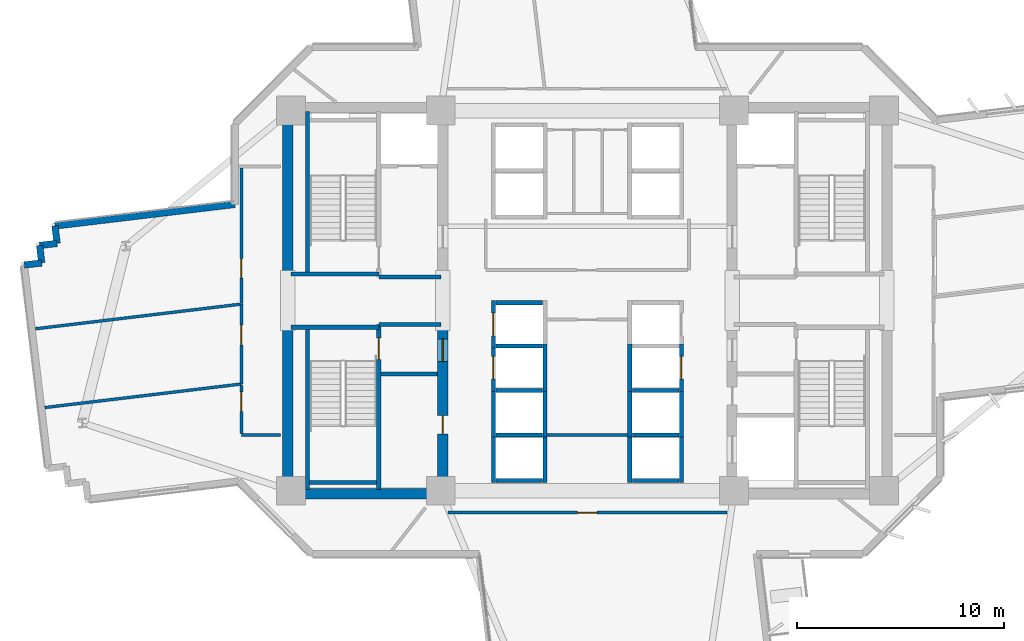
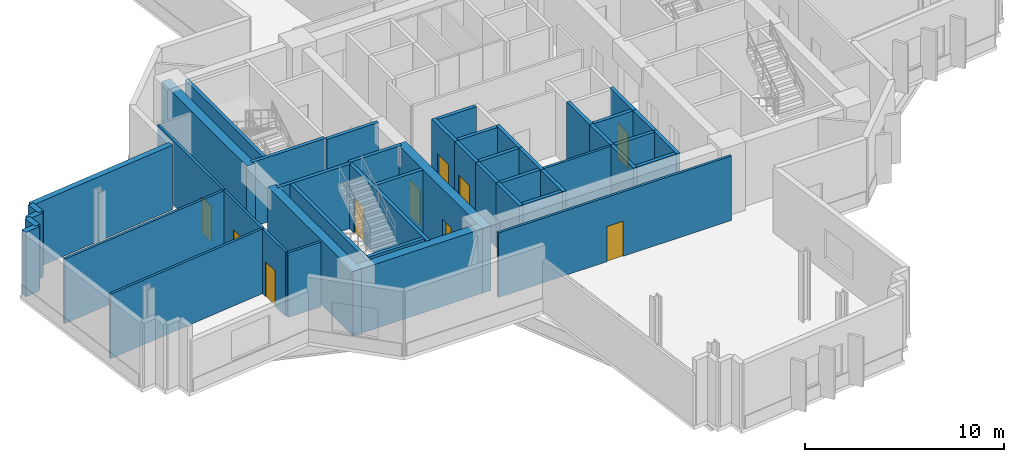
# One storey, part 6 of 15: 47 walls, 10 doors, 10 openings.
"""IFC4 building model written with IfcOpenShell, lengths in metres."""

from ifc_helpers import new_model, si_unit, direction, frame, frame_2d, origin, place, context, subcontext, project, spatial, rectangle, extrude, source, transform, mapped, material, layer, layer_set, type_object, element, fill, save


model = new_model("IFC4")

# Units and contexts
model_context = context("Model", 3, precision=1e-05, world=origin(), true_north=direction((0.0, 1.0)))
body_context = subcontext(model_context, "Body", "Model", "MODEL_VIEW")
ifc_project = project(units=[si_unit("LENGTHUNIT", "METRE"), si_unit("AREAUNIT", "SQUARE_METRE"), si_unit("VOLUMEUNIT", "CUBIC_METRE"), si_unit("PLANEANGLEUNIT", "RADIAN"), si_unit("MASSUNIT", "GRAM", prefix="KILO")], contexts=[model_context])

# Site, building, storey
site_placement = place(None, origin())
site = spatial("IfcSite", under=ifc_project, at=site_placement, CompositionType="ELEMENT")
building_placement = place(site_placement, origin())
building = spatial("IfcBuilding", under=site, at=building_placement, Name="Zahravan Cultural Tower", CompositionType="ELEMENT")
storey_placement = place(building_placement, frame((0.0, 0.0, 113.10009765625)))
storey = spatial("IfcBuildingStorey", under=building, at=storey_placement, Name="L25", CompositionType="ELEMENT", Elevation=113.10009765625)

# Wall, openings, doors
ifc_material_1 = material(Name="Concrete C60/75", Category="concrete")
ifc_layer_1 = layer(ifc_material_1, 0.5)
ifc_layer_set_1 = layer_set([ifc_layer_1], Name="Concrete C60/75")
wall_type_1 = type_object("IfcWallType", Name="CW-SHEAR-500-C60", PredefinedType="SHEAR", material=ifc_layer_set_1)
wall_1_placement = place(storey_placement, frame((29.0, 17.39990234375, 0.0), z_axis=(0.0, 0.0, 1.0), x_axis=(0.0, 1.0, 0.0)))
wall_1 = element("IfcWall", 1, at=wall_1_placement, inside=storey, type_object=wall_type_1, Name="L25 Core Shear Wall CW-W-ES-L25", PredefinedType="SHEAR", context=body_context, shape_type="SweptSolid", body=[
    extrude(rectangle(XDim=8.550048828125, YDim=0.5, at=frame_2d((4.27490234375, 0.0))), origin(), (0.0, 0.0, 1.0), 3.949951171875),
])
opening_1_placement = place(wall_1_placement, frame((6.64990234375, 0.0, 0.0)))
opening_1 = element("IfcOpeningElement", 2, at=opening_1_placement, cuts=wall_1, Name="Opening D-L25-07", PredefinedType="OPENING", context=body_context, shape_type="SweptSolid", body=[
    extrude(rectangle(XDim=1.10009765625, YDim=2.199951171875, at=frame_2d((0.550048828125, 1.10009765625))), frame((0.0, 0.260009765625, 0.0), z_axis=(0.0, -1.0, 0.0), x_axis=(1.0, 0.0, 0.0)), (0.0, 0.0, 1.0), 0.52001953125),
])
opening_2_placement = place(wall_1_placement, frame((3.14990234375, 0.0, 0.0)))
opening_2 = element("IfcOpeningElement", 3, at=opening_2_placement, cuts=wall_1, Name="Opening D-L25-09", PredefinedType="OPENING", context=body_context, shape_type="SweptSolid", body=[
    extrude(rectangle(XDim=0.8798828125, YDim=2.10009765625, at=frame_2d((0.43994140625, 1.050048828125))), frame((0.0, 0.260009765625, 0.0), z_axis=(0.0, -1.0, 0.0), x_axis=(1.0, 0.0, 0.0)), (0.0, 0.0, 1.0), 0.52001953125),
])
ifc_material_2 = material(Name="Steel ASTM A572 Grade 50", Category="steel")
door_type_1 = type_object("IfcDoorType", Name="DR-LOBBY-1100", OperationType="NOTDEFINED", PredefinedType="DOOR", material=ifc_material_2)
shared_shape_1 = source(origin(), body_context, "Body", "SweptSolid", [
    extrude(rectangle(XDim=1.10009765625, YDim=2.199951171875, at=frame_2d((0.550048828125, 1.10009765625))), frame((0.0, 0.02490234375, 0.0), z_axis=(0.0, -1.0, 0.0), x_axis=(1.0, 0.0, 0.0)), (0.0, 0.0, 1.0), 0.050048828125),
])
door_1_placement = place(opening_1_placement, origin())
door_1 = element("IfcDoor", 4, at=door_1_placement, inside=storey, type_object=door_type_1, Name="L25 Door D-L25-07", OperationType="SINGLE_SWING_RIGHT", OverallHeight=2.199951171875, OverallWidth=1.10009765625, PredefinedType="DOOR", context=body_context, shape_type="MappedRepresentation", body=[
    mapped(shared_shape_1, transform((0.0, 0.0, 0.0), x_axis=(1.0, 0.0, 0.0), y_axis=(0.0, 1.0, 0.0), z_axis=(0.0, 0.0, 1.0), scale=1.0)),
])
fill(opening_1, door_1)
door_type_2 = type_object("IfcDoorType", Name="DR-SVC-880", OperationType="NOTDEFINED", PredefinedType="DOOR", material=ifc_material_2)
shared_shape_2 = source(origin(), body_context, "Body", "SweptSolid", [
    extrude(rectangle(XDim=0.8798828125, YDim=2.10009765625, at=frame_2d((0.43994140625, 1.050048828125))), frame((0.0, 0.02490234375, 0.0), z_axis=(0.0, -1.0, 0.0), x_axis=(1.0, 0.0, 0.0)), (0.0, 0.0, 1.0), 0.050048828125),
])
door_2_placement = place(opening_2_placement, origin())
door_2 = element("IfcDoor", 5, at=door_2_placement, inside=storey, type_object=door_type_2, Name="L25 Door D-L25-09", OperationType="SINGLE_SWING_RIGHT", OverallHeight=2.10009765625, OverallWidth=0.8798828125, PredefinedType="DOOR", context=body_context, shape_type="MappedRepresentation", body=[
    mapped(shared_shape_2, transform((0.0, 0.0, 0.0), x_axis=(1.0, 0.0, 0.0), y_axis=(0.0, 1.0, 0.0), z_axis=(0.0, 0.0, 1.0), scale=1.0)),
])
fill(opening_2, door_2)

# Wall, opening, door
ifc_material_3 = material(Name="Gypsum plasterboard partition")
ifc_layer_2 = layer(ifc_material_3, 0.139892578125)
ifc_layer_set_2 = layer_set([ifc_layer_2], Name="Gypsum plasterboard partition")
wall_type_2 = type_object("IfcWallType", Name="W-PART-140", PredefinedType="PARTITIONING", material=ifc_layer_set_2)
wall_2_placement = place(storey_placement, frame((19.25, 26.833984375, 0.0), z_axis=(0.0, 0.0, 1.0), x_axis=(0.0, -1.0, 0.0)))
wall_2 = element("IfcWall", 6, at=wall_2_placement, inside=storey, type_object=wall_type_2, Name="L25 Interior Wall 082", PredefinedType="PARTITIONING", context=body_context, shape_type="SweptSolid", body=[
    extrude(rectangle(XDim=3.86767578125, YDim=0.139892578125, at=frame_2d((1.933837890625, 0.0))), origin(), (0.0, 0.0, 1.0), 3.949951171875),
])
opening_3_placement = place(wall_2_placement, frame((1.02099609375, 0.0, 0.0)))
opening_3 = element("IfcOpeningElement", 7, at=opening_3_placement, cuts=wall_2, Name="Opening D-L25-22", PredefinedType="OPENING", context=body_context, shape_type="SweptSolid", body=[
    extrude(rectangle(XDim=0.949951171875, YDim=2.14990234375, at=frame_2d((0.47509765625, 1.074951171875))), frame((0.0, 0.079833984375, 0.0), z_axis=(0.0, -1.0, 0.0), x_axis=(1.0, 0.0, 0.0)), (0.0, 0.0, 1.0), 0.159912109375),
])
ifc_material_4 = material(Name="Anodised bronze-aluminium mullion", Category="aluminium")
door_type_3 = type_object("IfcDoorType", Name="DR-ROOM-950", OperationType="NOTDEFINED", PredefinedType="DOOR", material=ifc_material_4)
shared_shape_3 = source(origin(), body_context, "Body", "SweptSolid", [
    extrude(rectangle(XDim=0.949951171875, YDim=2.14990234375, at=frame_2d((0.47509765625, 1.074951171875))), frame((0.0, 0.02490234375, 0.0), z_axis=(0.0, -1.0, 0.0), x_axis=(1.0, 0.0, 0.0)), (0.0, 0.0, 1.0), 0.050048828125),
])
door_3_placement = place(opening_3_placement, origin())
door_3 = element("IfcDoor", 8, at=door_3_placement, inside=storey, type_object=door_type_3, Name="L25 Door D-L25-22", OperationType="SINGLE_SWING_LEFT", OverallHeight=2.14990234375, OverallWidth=0.949951171875, PredefinedType="DOOR", context=body_context, shape_type="MappedRepresentation", body=[
    mapped(shared_shape_3, transform((0.0, 0.0, 0.0), x_axis=(1.0, 0.0, 0.0), y_axis=(0.0, 1.0, 0.0), z_axis=(0.0, 0.0, 1.0), scale=1.0)),
])
fill(opening_3, door_3)

wall_3_placement = place(storey_placement, frame((19.252685546875, 33.422607421875, 0.0), z_axis=(0.0, 0.0, 1.0), x_axis=(-0.000408845905, -0.999999916423, 0.0)))
wall_3 = element("IfcWall", 9, at=wall_3_placement, inside=storey, type_object=wall_type_2, Name="L25 Interior Wall 086", PredefinedType="PARTITIONING", context=body_context, shape_type="SweptSolid", body=[
    extrude(rectangle(XDim=6.568603515625, YDim=0.139892578125, at=frame_2d((3.2841796875, 0.0))), origin(), (0.0, 0.0, 1.0), 3.949951171875),
])
opening_4_placement = place(wall_3_placement, frame((4.38232421875, 0.0, 0.0)))
opening_4 = element("IfcOpeningElement", 10, at=opening_4_placement, cuts=wall_3, Name="Opening D-L25-21", PredefinedType="OPENING", context=body_context, shape_type="SweptSolid", body=[
    extrude(rectangle(XDim=0.949951171875, YDim=2.14990234375, at=frame_2d((0.47509765625, 1.074951171875))), frame((0.0, 0.079833984375, 0.0), z_axis=(0.0, -1.0, 0.0), x_axis=(1.0, 0.0, 0.0)), (0.0, 0.0, 1.0), 0.159912109375),
])
door_4_placement = place(opening_4_placement, origin())
door_4 = element("IfcDoor", 11, at=door_4_placement, inside=storey, type_object=door_type_3, Name="L25 Door D-L25-21", OperationType="SINGLE_SWING_RIGHT", OverallHeight=2.14990234375, OverallWidth=0.949951171875, PredefinedType="DOOR", context=body_context, shape_type="MappedRepresentation", body=[
    mapped(shared_shape_3, transform((0.0, 0.0, 0.0), x_axis=(1.0, 0.0, 0.0), y_axis=(0.0, 1.0, 0.0), z_axis=(0.0, 0.0, 1.0), scale=1.0)),
])
fill(opening_4, door_4)

wall_4_placement = place(storey_placement, frame((19.25, 22.890869140625, 0.0), z_axis=(0.0, 0.0, 1.0), x_axis=(0.001476168784, -0.999998910462, 0.0)))
wall_4 = element("IfcWall", 12, at=wall_4_placement, inside=storey, type_object=wall_type_2, Name="L25 Interior Wall 096", PredefinedType="PARTITIONING", context=body_context, shape_type="SweptSolid", body=[
    extrude(rectangle(XDim=2.3154296875, YDim=0.139892578125, at=frame_2d((1.15771484375, 0.0))), origin(), (0.0, 0.0, 1.0), 3.949951171875),
])
opening_5_placement = place(wall_4_placement, frame((0.30029296875, 0.0, 0.0)))
opening_5 = element("IfcOpeningElement", 13, at=opening_5_placement, cuts=wall_4, Name="Opening D-L25-23", PredefinedType="OPENING", context=body_context, shape_type="SweptSolid", body=[
    extrude(rectangle(XDim=0.949951171875, YDim=2.14990234375, at=frame_2d((0.47509765625, 1.074951171875))), frame((0.0, 0.079833984375, 0.0), z_axis=(0.0, -1.0, 0.0), x_axis=(1.0, 0.0, 0.0)), (0.0, 0.0, 1.0), 0.159912109375),
])
door_5_placement = place(opening_5_placement, origin())
door_5 = element("IfcDoor", 14, at=door_5_placement, inside=storey, type_object=door_type_3, Name="L25 Door D-L25-23", OperationType="SINGLE_SWING_RIGHT", OverallHeight=2.14990234375, OverallWidth=0.949951171875, PredefinedType="DOOR", context=body_context, shape_type="MappedRepresentation", body=[
    mapped(shared_shape_3, transform((0.0, 0.0, 0.0), x_axis=(1.0, 0.0, 0.0), y_axis=(0.0, 1.0, 0.0), z_axis=(0.0, 0.0, 1.0), scale=1.0)),
])
fill(opening_5, door_5)

wall_5_placement = place(storey_placement, frame((29.255859375, 16.739990234375, 0.0), z_axis=(0.0, 0.0, 1.0), x_axis=(1.0, 0.0, 0.0)))
wall_5 = element("IfcWall", 15, at=wall_5_placement, inside=storey, type_object=wall_type_2, Name="L25 Interior Wall 100", PredefinedType="PARTITIONING", context=body_context, shape_type="SweptSolid", body=[
    extrude(rectangle(XDim=13.48828125, YDim=0.139892578125, at=frame_2d((6.744140625, 0.0))), origin(), (0.0, 0.0, 1.0), 3.949951171875),
])
opening_6_placement = place(wall_5_placement, frame((6.26904296875, 0.0, 0.0)))
opening_6 = element("IfcOpeningElement", 16, at=opening_6_placement, cuts=wall_5, Name="Opening D-L25-24", PredefinedType="OPENING", context=body_context, shape_type="SweptSolid", body=[
    extrude(rectangle(XDim=0.949951171875, YDim=2.14990234375, at=frame_2d((0.47509765625, 1.074951171875))), frame((0.0, 0.079833984375, 0.0), z_axis=(0.0, -1.0, 0.0), x_axis=(1.0, 0.0, 0.0)), (0.0, 0.0, 1.0), 0.159912109375),
])
door_6_placement = place(opening_6_placement, origin())
door_6 = element("IfcDoor", 17, at=door_6_placement, inside=storey, type_object=door_type_3, Name="L25 Door D-L25-24", OperationType="SINGLE_SWING_LEFT", OverallHeight=2.14990234375, OverallWidth=0.949951171875, PredefinedType="DOOR", context=body_context, shape_type="MappedRepresentation", body=[
    mapped(shared_shape_3, transform((0.0, 0.0, 0.0), x_axis=(1.0, 0.0, 0.0), y_axis=(0.0, 1.0, 0.0), z_axis=(0.0, 0.0, 1.0), scale=1.0)),
])
fill(opening_6, door_6)

ifc_material_5 = material(Name="Concrete C45/55", Category="concrete")
ifc_layer_3 = layer(ifc_material_5, 0.199951171875)
ifc_layer_set_3 = layer_set([ifc_layer_3], Name="Concrete C45/55")
wall_type_3 = type_object("IfcWallType", Name="W-SHAFT-200", PredefinedType="SOLIDWALL", material=ifc_layer_set_3)
wall_6_placement = place(storey_placement, frame((25.89990234375, 17.85009765625, 0.0), z_axis=(0.0, 0.0, 1.0), x_axis=(0.0, 1.0, 0.0)))
wall_6 = element("IfcWall", 18, at=wall_6_placement, inside=storey, type_object=wall_type_3, Name="L25 Interior Wall 005", PredefinedType="SOLIDWALL", context=body_context, shape_type="SweptSolid", body=[
    extrude(rectangle(XDim=8.0, YDim=0.199951171875, at=frame_2d((4.0, 0.0))), origin(), (0.0, 0.0, 1.0), 3.949951171875),
])
opening_7_placement = place(wall_6_placement, frame((6.300048828125, 0.0, 0.0)))
opening_7 = element("IfcOpeningElement", 19, at=opening_7_placement, cuts=wall_6, Name="Opening D-L25-04", PredefinedType="OPENING", context=body_context, shape_type="SweptSolid", body=[
    extrude(rectangle(XDim=1.050048828125, YDim=2.14990234375, at=frame_2d((0.52490234375, 1.074951171875))), frame((0.0, 0.10986328125, 0.0), z_axis=(0.0, -1.0, 0.0), x_axis=(1.0, 0.0, 0.0)), (0.0, 0.0, 1.0), 0.219970703125),
])
door_type_4 = type_object("IfcDoorType", Name="DR-STAIR-1050", OperationType="NOTDEFINED", PredefinedType="DOOR", material=ifc_material_2)
shared_shape_4 = source(origin(), body_context, "Body", "SweptSolid", [
    extrude(rectangle(XDim=1.050048828125, YDim=2.14990234375, at=frame_2d((0.52490234375, 1.074951171875))), frame((0.0, 0.02490234375, 0.0), z_axis=(0.0, -1.0, 0.0), x_axis=(1.0, 0.0, 0.0)), (0.0, 0.0, 1.0), 0.050048828125),
])
door_7_placement = place(opening_7_placement, origin())
door_7 = element("IfcDoor", 20, at=door_7_placement, inside=storey, type_object=door_type_4, Name="L25 Door D-L25-04", OperationType="SINGLE_SWING_LEFT", OverallHeight=2.14990234375, OverallWidth=1.050048828125, PredefinedType="DOOR", context=body_context, shape_type="MappedRepresentation", body=[
    mapped(shared_shape_4, transform((0.0, 0.0, 0.0), x_axis=(1.0, 0.0, 0.0), y_axis=(0.0, 1.0, 0.0), z_axis=(0.0, 0.0, 1.0), scale=1.0)),
])
fill(opening_7, door_7)

wall_7_placement = place(storey_placement, frame((31.449951171875, 24.699951171875, 0.0), z_axis=(0.0, 0.0, 1.0), x_axis=(0.0, 1.0, 0.0)))
wall_7 = element("IfcWall", 21, at=wall_7_placement, inside=storey, type_object=wall_type_3, Name="L25 Interior Wall 054", PredefinedType="SOLIDWALL", context=body_context, shape_type="SweptSolid", body=[
    extrude(rectangle(XDim=2.300048828125, YDim=0.199951171875, at=frame_2d((1.14990234375, 0.0))), origin(), (0.0, 0.0, 1.0), 3.949951171875),
])
opening_8_placement = place(wall_7_placement, frame((0.60009765625, 0.0, 0.0)))
opening_8 = element("IfcOpeningElement", 22, at=opening_8_placement, cuts=wall_7, Name="Opening LD-L25-04", PredefinedType="OPENING", context=body_context, shape_type="SweptSolid", body=[
    extrude(rectangle(XDim=1.10009765625, YDim=2.14990234375, at=frame_2d((0.550048828125, 1.074951171875))), frame((0.0, 0.10986328125, 0.0), z_axis=(0.0, -1.0, 0.0), x_axis=(1.0, 0.0, 0.0)), (0.0, 0.0, 1.0), 0.219970703125),
])
door_type_5 = type_object("IfcDoorType", Name="DR-LIFT-1100", OperationType="DOUBLE_DOOR_SLIDING", PredefinedType="DOOR", material=ifc_material_2)
shared_shape_5 = source(origin(), body_context, "Body", "SweptSolid", [
    extrude(rectangle(XDim=1.10009765625, YDim=2.14990234375, at=frame_2d((0.550048828125, 1.074951171875))), frame((0.0, 0.02490234375, 0.0), z_axis=(0.0, -1.0, 0.0), x_axis=(1.0, 0.0, 0.0)), (0.0, 0.0, 1.0), 0.050048828125),
])
door_8_placement = place(opening_8_placement, origin())
door_8 = element("IfcDoor", 23, at=door_8_placement, inside=storey, type_object=door_type_5, Name="L25 Door LD-L25-04", OperationType="DOUBLE_DOOR_SLIDING", OverallHeight=2.14990234375, OverallWidth=1.10009765625, PredefinedType="DOOR", context=body_context, shape_type="MappedRepresentation", body=[
    mapped(shared_shape_5, transform((0.0, 0.0, 0.0), x_axis=(1.0, 0.0, 0.0), y_axis=(0.0, 1.0, 0.0), z_axis=(0.0, 0.0, 1.0), scale=1.0)),
])
fill(opening_8, door_8)

wall_8_placement = place(storey_placement, frame((31.449951171875, 22.60009765625, 0.0), z_axis=(0.0, 0.0, 1.0), x_axis=(0.0, 1.0, 0.0)))
wall_8 = element("IfcWall", 24, at=wall_8_placement, inside=storey, type_object=wall_type_3, Name="L25 Interior Wall 058", PredefinedType="SOLIDWALL", context=body_context, shape_type="SweptSolid", body=[
    extrude(rectangle(XDim=2.2998046875, YDim=0.199951171875, at=frame_2d((1.14990234375, 0.0))), origin(), (0.0, 0.0, 1.0), 3.949951171875),
])
opening_9_placement = place(wall_8_placement, frame((0.60009765625, 0.0, 0.0)))
opening_9 = element("IfcOpeningElement", 25, at=opening_9_placement, cuts=wall_8, Name="Opening LD-L25-05", PredefinedType="OPENING", context=body_context, shape_type="SweptSolid", body=[
    extrude(rectangle(XDim=1.10009765625, YDim=2.14990234375, at=frame_2d((0.550048828125, 1.074951171875))), frame((0.0, 0.10986328125, 0.0), z_axis=(0.0, -1.0, 0.0), x_axis=(1.0, 0.0, 0.0)), (0.0, 0.0, 1.0), 0.219970703125),
])
door_9_placement = place(opening_9_placement, origin())
door_9 = element("IfcDoor", 26, at=door_9_placement, inside=storey, type_object=door_type_5, Name="L25 Door LD-L25-05", OperationType="DOUBLE_DOOR_SLIDING", OverallHeight=2.14990234375, OverallWidth=1.10009765625, PredefinedType="DOOR", context=body_context, shape_type="MappedRepresentation", body=[
    mapped(shared_shape_5, transform((0.0, 0.0, 0.0), x_axis=(1.0, 0.0, 0.0), y_axis=(0.0, 1.0, 0.0), z_axis=(0.0, 0.0, 1.0), scale=1.0)),
])
fill(opening_9, door_9)

wall_9_placement = place(storey_placement, frame((40.550048828125, 22.60009765625, 0.0), z_axis=(0.0, 0.0, 1.0), x_axis=(0.0, 1.0, 0.0)))
wall_9 = element("IfcWall", 27, at=wall_9_placement, inside=storey, type_object=wall_type_3, Name="L25 Interior Wall 065", PredefinedType="SOLIDWALL", context=body_context, shape_type="SweptSolid", body=[
    extrude(rectangle(XDim=2.2998046875, YDim=0.199951171875, at=frame_2d((1.14990234375, 0.0))), origin(), (0.0, 0.0, 1.0), 3.949951171875),
])
opening_10_placement = place(wall_9_placement, frame((0.60009765625, 0.0, 0.0)))
opening_10 = element("IfcOpeningElement", 28, at=opening_10_placement, cuts=wall_9, Name="Opening LD-L25-07", PredefinedType="OPENING", context=body_context, shape_type="SweptSolid", body=[
    extrude(rectangle(XDim=1.10009765625, YDim=2.14990234375, at=frame_2d((0.550048828125, 1.074951171875))), frame((0.0, 0.10986328125, 0.0), z_axis=(0.0, -1.0, 0.0), x_axis=(1.0, 0.0, 0.0)), (0.0, 0.0, 1.0), 0.219970703125),
])
door_10_placement = place(opening_10_placement, origin())
door_10 = element("IfcDoor", 29, at=door_10_placement, inside=storey, type_object=door_type_5, Name="L25 Door LD-L25-07", OperationType="DOUBLE_DOOR_SLIDING", OverallHeight=2.14990234375, OverallWidth=1.10009765625, PredefinedType="DOOR", context=body_context, shape_type="MappedRepresentation", body=[
    mapped(shared_shape_5, transform((0.0, 0.0, 0.0), x_axis=(1.0, 0.0, 0.0), y_axis=(0.0, 1.0, 0.0), z_axis=(0.0, 0.0, 1.0), scale=1.0)),
])
fill(opening_10, door_10)

# Walls
shared_shape_6 = source(origin(), body_context, "Body", "SweptSolid", [
    extrude(rectangle(XDim=8.550048828125, YDim=0.5, at=frame_2d((4.27490234375, 0.0))), origin(), (0.0, 0.0, 1.0), 3.949951171875),
])
for number, where, z_axis, x_axis, name in (
    (30, (21.5, 17.39990234375, 0.0), (0.0, 0.0, 1.0), (0.0, 1.0, 0.0), "L25 Core Shear Wall CW-W-WS-L25"),
    (31, (21.5, 28.050048828125, 0.0), (0.0, 0.0, 1.0), (0.0, 1.0, 0.0), "L25 Core Shear Wall CW-W-WN-L25"),
):
    element("IfcWall", number, at=place(storey_placement, frame(where, z_axis=z_axis, x_axis=x_axis)), inside=storey, type_object=wall_type_1, Name=name, PredefinedType="SHEAR", context=body_context, shape_type="MappedRepresentation", body=[
        mapped(shared_shape_6, transform((0.0, 0.0, 0.0), x_axis=(1.0, 0.0, 0.0), y_axis=(0.0, 1.0, 0.0), z_axis=(0.0, 0.0, 1.0), scale=1.0)),
    ])
shared_shape_7 = source(origin(), body_context, "Body", "SweptSolid", [
    extrude(rectangle(XDim=7.0, YDim=0.5, at=frame_2d((3.5, 0.0))), origin(), (0.0, 0.0, 1.0), 3.949951171875),
])
wall_10_placement = place(storey_placement, frame((21.75, 17.64990234375, 0.0), z_axis=(0.0, 0.0, 1.0), x_axis=(1.0, 0.0, 0.0)))
element("IfcWall", 32, at=wall_10_placement, inside=storey, type_object=wall_type_1, Name="L25 Core Shear Wall CW-W-S-L25", PredefinedType="SHEAR", context=body_context, shape_type="MappedRepresentation", body=[
    mapped(shared_shape_7, transform((0.0, 0.0, 0.0), x_axis=(1.0, 0.0, 0.0), y_axis=(0.0, 1.0, 0.0), z_axis=(0.0, 0.0, 1.0), scale=1.0)),
])
ifc_material_6 = material(Name="Precast concrete C40/50", Category="concrete")
ifc_layer_4 = layer(ifc_material_6, 0.320068359375)
ifc_layer_set_4 = layer_set([ifc_layer_4], Name="Precast concrete C40/50")
wall_type_4 = type_object("IfcWallType", Name="EW-TC-320", PredefinedType="SOLIDWALL", material=ifc_layer_set_4)
shared_shape_8 = source(origin(), body_context, "Body", "SweptSolid", [
    extrude(rectangle(XDim=0.85009765625, YDim=0.320068359375, at=frame_2d((0.425048828125, 0.0))), origin(), (0.0, 0.0, 1.0), 3.949951171875),
])
for number, where, z_axis, x_axis, name in (
    (33, (8.740478515625, 28.725830078125, 0.0), (0.0, 0.0, 1.0), (0.992905350382, 0.118907380694, 0.0), "L25 Exterior Masonry Frame Wall 33"),
    (34, (9.58447265625, 28.826904296875, 0.0), (0.0, 0.0, 1.0), (-0.119190521137, 0.992871401376, 0.0), "L25 Exterior Masonry Frame Wall 34"),
    (35, (9.483154296875, 29.6708984375, 0.0), (0.0, 0.0, 1.0), (0.992871401376, 0.119190521137, 0.0), "L25 Exterior Masonry Frame Wall 35"),
    (36, (10.3271484375, 29.772216796875, 0.0), (0.0, 0.0, 1.0), (-0.119190521137, 0.992871401376, 0.0), "L25 Exterior Masonry Frame Wall 36"),
):
    element("IfcWall", number, at=place(storey_placement, frame(where, z_axis=z_axis, x_axis=x_axis)), inside=storey, type_object=wall_type_4, Name=name, PredefinedType="SOLIDWALL", context=body_context, shape_type="MappedRepresentation", body=[
        mapped(shared_shape_8, transform((0.0, 0.0, 0.0), x_axis=(1.0, 0.0, 0.0), y_axis=(0.0, 1.0, 0.0), z_axis=(0.0, 0.0, 1.0), scale=1.0)),
    ])
shared_shape_9 = source(origin(), body_context, "Body", "SweptSolid", [
    extrude(rectangle(XDim=8.776611328125, YDim=0.320068359375, at=frame_2d((4.38818359375, 0.0))), origin(), (0.0, 0.0, 1.0), 3.949951171875),
])
wall_11_placement = place(storey_placement, frame((10.225830078125, 30.6162109375, 0.0), z_axis=(0.0, 0.0, 1.0), x_axis=(0.992883944618, 0.119085987922, 0.0)))
element("IfcWall", 37, at=wall_11_placement, inside=storey, type_object=wall_type_4, Name="L25 Exterior Masonry Frame Wall 37", PredefinedType="SOLIDWALL", context=body_context, shape_type="MappedRepresentation", body=[
    mapped(shared_shape_9, transform((0.0, 0.0, 0.0), x_axis=(1.0, 0.0, 0.0), y_axis=(0.0, 1.0, 0.0), z_axis=(0.0, 0.0, 1.0), scale=1.0)),
])
shared_shape_10 = source(origin(), body_context, "Body", "SweptSolid", [
    extrude(rectangle(XDim=7.869873046875, YDim=0.199951171875, at=frame_2d((3.93505859375, 0.0))), origin(), (0.0, 0.0, 1.0), 3.949951171875),
])
for number, where, z_axis, x_axis, name in (
    (38, (22.449951171875, 17.85009765625, 0.0), (0.0, 0.0, 1.0), (0.0, 1.0, 0.0), "L25 Interior Wall 001"),
    (39, (22.449951171875, 28.280029296875, 0.0), (0.0, 0.0, 1.0), (0.0, 1.0, 0.0), "L25 Interior Wall 002"),
):
    element("IfcWall", number, at=place(storey_placement, frame(where, z_axis=z_axis, x_axis=x_axis)), inside=storey, type_object=wall_type_3, Name=name, PredefinedType="SOLIDWALL", context=body_context, shape_type="MappedRepresentation", body=[
        mapped(shared_shape_10, transform((0.0, 0.0, 0.0), x_axis=(1.0, 0.0, 0.0), y_axis=(0.0, 1.0, 0.0), z_axis=(0.0, 0.0, 1.0), scale=1.0)),
    ])
shared_shape_11 = source(origin(), body_context, "Body", "SweptSolid", [
    extrude(rectangle(XDim=4.25, YDim=0.199951171875, at=frame_2d((2.125, 0.0))), origin(), (0.0, 0.0, 1.0), 3.949951171875),
])
for number, where, z_axis, x_axis, name in (
    (40, (21.64990234375, 25.715087890625, 0.0), (0.0, 0.0, 1.0), (1.0, 0.0, 0.0), "L25 Interior Wall 009"),
    (41, (21.64990234375, 28.284912109375, 0.0), (0.0, 0.0, 1.0), (1.0, 0.0, 0.0), "L25 Interior Wall 011"),
):
    element("IfcWall", number, at=place(storey_placement, frame(where, z_axis=z_axis, x_axis=x_axis)), inside=storey, type_object=wall_type_3, Name=name, PredefinedType="SOLIDWALL", context=body_context, shape_type="MappedRepresentation", body=[
        mapped(shared_shape_11, transform((0.0, 0.0, 0.0), x_axis=(1.0, 0.0, 0.0), y_axis=(0.0, 1.0, 0.0), z_axis=(0.0, 0.0, 1.0), scale=1.0)),
    ])
shared_shape_12 = source(origin(), body_context, "Body", "SweptSolid", [
    extrude(rectangle(XDim=3.0, YDim=0.199951171875, at=frame_2d((1.5, 0.0))), origin(), (0.0, 0.0, 1.0), 3.949951171875),
])
for number, where, z_axis, x_axis, name in (
    (42, (25.89990234375, 25.85009765625, 0.0), (0.0, 0.0, 1.0), (1.0, 0.0, 0.0), "L25 Interior Wall 010"),
    (43, (25.89990234375, 28.14990234375, 0.0), (0.0, 0.0, 1.0), (1.0, 0.0, 0.0), "L25 Interior Wall 012"),
):
    element("IfcWall", number, at=place(storey_placement, frame(where, z_axis=z_axis, x_axis=x_axis)), inside=storey, type_object=wall_type_3, Name=name, PredefinedType="SOLIDWALL", context=body_context, shape_type="MappedRepresentation", body=[
        mapped(shared_shape_12, transform((0.0, 0.0, 0.0), x_axis=(1.0, 0.0, 0.0), y_axis=(0.0, 1.0, 0.0), z_axis=(0.0, 0.0, 1.0), scale=1.0)),
    ])
shared_shape_13 = source(origin(), body_context, "Body", "SweptSolid", [
    extrude(rectangle(XDim=3.25, YDim=0.199951171875, at=frame_2d((1.625, 0.0))), origin(), (0.0, 0.0, 1.0), 3.949951171875),
])
wall_12_placement = place(storey_placement, frame((22.550048828125, 18.199951171875, 0.0), z_axis=(0.0, 0.0, 1.0), x_axis=(1.0, 0.0, 0.0)))
element("IfcWall", 44, at=wall_12_placement, inside=storey, type_object=wall_type_3, Name="L25 Interior Wall 019", PredefinedType="SOLIDWALL", context=body_context, shape_type="MappedRepresentation", body=[
    mapped(shared_shape_13, transform((0.0, 0.0, 0.0), x_axis=(1.0, 0.0, 0.0), y_axis=(0.0, 1.0, 0.0), z_axis=(0.0, 0.0, 1.0), scale=1.0)),
])
shared_shape_14 = source(origin(), body_context, "Body", "SweptSolid", [
    extrude(rectangle(XDim=2.75, YDim=0.199951171875, at=frame_2d((1.375, 0.0))), origin(), (0.0, 0.0, 1.0), 3.949951171875),
])
wall_13_placement = place(storey_placement, frame((26.0, 23.449951171875, 0.0), z_axis=(0.0, 0.0, 1.0), x_axis=(1.0, 0.0, 0.0)))
element("IfcWall", 45, at=wall_13_placement, inside=storey, type_object=wall_type_3, Name="L25 Interior Wall 023", PredefinedType="SOLIDWALL", context=body_context, shape_type="MappedRepresentation", body=[
    mapped(shared_shape_14, transform((0.0, 0.0, 0.0), x_axis=(1.0, 0.0, 0.0), y_axis=(0.0, 1.0, 0.0), z_axis=(0.0, 0.0, 1.0), scale=1.0)),
])
shared_shape_15 = source(origin(), body_context, "Body", "SweptSolid", [
    extrude(rectangle(XDim=2.260009765625, YDim=0.199951171875, at=frame_2d((1.1298828125, 0.0))), origin(), (0.0, 0.0, 1.0), 3.949951171875),
])
for number, where, z_axis, x_axis, name in (
    (46, (31.570068359375, 20.5, 0.0), (0.0, 0.0, 1.0), (1.0, 0.0, 0.0), "L25 Interior Wall 042"),
    (47, (31.570068359375, 22.64990234375, 0.0), (0.0, 0.0, 1.0), (1.0, 0.0, 0.0), "L25 Interior Wall 043"),
    (48, (31.570068359375, 18.300048828125, 0.0), (0.0, 0.0, 1.0), (1.0, 0.0, 0.0), "L25 Interior Wall 046"),
    (49, (38.169921875, 20.5, 0.0), (0.0, 0.0, 1.0), (1.0, 0.0, 0.0), "L25 Interior Wall 049"),
    (50, (38.169921875, 22.64990234375, 0.0), (0.0, 0.0, 1.0), (1.0, 0.0, 0.0), "L25 Interior Wall 050"),
    (51, (38.169921875, 18.300048828125, 0.0), (0.0, 0.0, 1.0), (1.0, 0.0, 0.0), "L25 Interior Wall 053"),
    (52, (31.570068359375, 24.800048828125, 0.0), (0.0, 0.0, 1.0), (1.0, 0.0, 0.0), "L25 Interior Wall 056"),
    (53, (31.570068359375, 26.89990234375, 0.0), (0.0, 0.0, 1.0), (1.0, 0.0, 0.0), "L25 Interior Wall 057"),
):
    element("IfcWall", number, at=place(storey_placement, frame(where, z_axis=z_axis, x_axis=x_axis)), inside=storey, type_object=wall_type_3, Name=name, PredefinedType="SOLIDWALL", context=body_context, shape_type="MappedRepresentation", body=[
        mapped(shared_shape_15, transform((0.0, 0.0, 0.0), x_axis=(1.0, 0.0, 0.0), y_axis=(0.0, 1.0, 0.0), z_axis=(0.0, 0.0, 1.0), scale=1.0)),
    ])
shared_shape_16 = source(origin(), body_context, "Body", "SweptSolid", [
    extrude(rectangle(XDim=2.35009765625, YDim=0.199951171875, at=frame_2d((1.175048828125, 0.0))), origin(), (0.0, 0.0, 1.0), 3.949951171875),
])
for number, where, z_axis, x_axis, name in (
    (54, (31.449951171875, 20.39990234375, 0.0), (0.0, 0.0, 1.0), (0.0, 1.0, 0.0), "L25 Interior Wall 040"),
    (55, (33.949951171875, 20.39990234375, 0.0), (0.0, 0.0, 1.0), (0.0, 1.0, 0.0), "L25 Interior Wall 041"),
    (56, (31.449951171875, 18.199951171875, 0.0), (0.0, 0.0, 1.0), (0.0, 1.0, 0.0), "L25 Interior Wall 044"),
    (57, (33.949951171875, 18.199951171875, 0.0), (0.0, 0.0, 1.0), (0.0, 1.0, 0.0), "L25 Interior Wall 045"),
    (58, (38.050048828125, 20.39990234375, 0.0), (0.0, 0.0, 1.0), (0.0, 1.0, 0.0), "L25 Interior Wall 047"),
    (59, (40.550048828125, 20.39990234375, 0.0), (0.0, 0.0, 1.0), (0.0, 1.0, 0.0), "L25 Interior Wall 048"),
    (60, (38.050048828125, 18.199951171875, 0.0), (0.0, 0.0, 1.0), (0.0, 1.0, 0.0), "L25 Interior Wall 051"),
    (61, (40.550048828125, 18.199951171875, 0.0), (0.0, 0.0, 1.0), (0.0, 1.0, 0.0), "L25 Interior Wall 052"),
):
    element("IfcWall", number, at=place(storey_placement, frame(where, z_axis=z_axis, x_axis=x_axis)), inside=storey, type_object=wall_type_3, Name=name, PredefinedType="SOLIDWALL", context=body_context, shape_type="MappedRepresentation", body=[
        mapped(shared_shape_16, transform((0.0, 0.0, 0.0), x_axis=(1.0, 0.0, 0.0), y_axis=(0.0, 1.0, 0.0), z_axis=(0.0, 0.0, 1.0), scale=1.0)),
    ])
shared_shape_17 = source(origin(), body_context, "Body", "SweptSolid", [
    extrude(rectangle(XDim=2.2998046875, YDim=0.199951171875, at=frame_2d((1.14990234375, 0.0))), origin(), (0.0, 0.0, 1.0), 3.949951171875),
])
for number, where, z_axis, x_axis, name in (
    (62, (33.949951171875, 22.60009765625, 0.0), (0.0, 0.0, 1.0), (0.0, 1.0, 0.0), "L25 Interior Wall 059"),
    (63, (38.050048828125, 22.60009765625, 0.0), (0.0, 0.0, 1.0), (0.0, 1.0, 0.0), "L25 Interior Wall 064"),
):
    element("IfcWall", number, at=place(storey_placement, frame(where, z_axis=z_axis, x_axis=x_axis)), inside=storey, type_object=wall_type_3, Name=name, PredefinedType="SOLIDWALL", context=body_context, shape_type="MappedRepresentation", body=[
        mapped(shared_shape_17, transform((0.0, 0.0, 0.0), x_axis=(1.0, 0.0, 0.0), y_axis=(0.0, 1.0, 0.0), z_axis=(0.0, 0.0, 1.0), scale=1.0)),
    ])
shared_shape_18 = source(origin(), body_context, "Body", "SweptSolid", [
    extrude(rectangle(XDim=3.89013671875, YDim=0.139892578125, at=frame_2d((1.945068359375, 0.0))), origin(), (0.0, 0.0, 1.0), 3.949951171875),
])
wall_14_placement = place(storey_placement, frame((37.945068359375, 20.489990234375, 0.0), z_axis=(0.0, 0.0, 1.0), x_axis=(-1.0, 0.0, 0.0)))
element("IfcWall", 64, at=wall_14_placement, inside=storey, type_object=wall_type_2, Name="L25 Interior Wall 075", PredefinedType="PARTITIONING", context=body_context, shape_type="MappedRepresentation", body=[
    mapped(shared_shape_18, transform((0.0, 0.0, 0.0), x_axis=(1.0, 0.0, 0.0), y_axis=(0.0, 1.0, 0.0), z_axis=(0.0, 0.0, 1.0), scale=1.0)),
])
shared_shape_19 = source(origin(), body_context, "Body", "SweptSolid", [
    extrude(rectangle(XDim=9.583740234375, YDim=0.139892578125, at=frame_2d((4.7919921875, 0.0))), origin(), (0.0, 0.0, 1.0), 3.949951171875),
])
wall_15_placement = place(storey_placement, frame((19.25, 22.96630859375, 0.0), z_axis=(0.0, 0.0, 1.0), x_axis=(-0.992883225705, -0.119091981737, 0.0)))
element("IfcWall", 65, at=wall_15_placement, inside=storey, type_object=wall_type_2, Name="L25 Interior Wall 083", PredefinedType="PARTITIONING", context=body_context, shape_type="MappedRepresentation", body=[
    mapped(shared_shape_19, transform((0.0, 0.0, 0.0), x_axis=(1.0, 0.0, 0.0), y_axis=(0.0, 1.0, 0.0), z_axis=(0.0, 0.0, 1.0), scale=1.0)),
])
shared_shape_20 = source(origin(), body_context, "Body", "SweptSolid", [
    extrude(rectangle(XDim=9.968994140625, YDim=0.139892578125, at=frame_2d((4.984375, 0.0))), origin(), (0.0, 0.0, 1.0), 3.949951171875),
])
wall_16_placement = place(storey_placement, frame((9.277099609375, 25.6376953125, 0.0), z_axis=(0.0, 0.0, 1.0), x_axis=(0.992882747367, 0.119095969623, 0.0)))
element("IfcWall", 66, at=wall_16_placement, inside=storey, type_object=wall_type_2, Name="L25 Interior Wall 084", PredefinedType="PARTITIONING", context=body_context, shape_type="MappedRepresentation", body=[
    mapped(shared_shape_20, transform((0.0, 0.0, 0.0), x_axis=(1.0, 0.0, 0.0), y_axis=(0.0, 1.0, 0.0), z_axis=(0.0, 0.0, 1.0), scale=1.0)),
])
shared_shape_21 = source(origin(), body_context, "Body", "SweptSolid", [
    extrude(rectangle(XDim=1.89599609375, YDim=0.139892578125, at=frame_2d((0.947998046875, 0.0))), origin(), (0.0, 0.0, 1.0), 3.949951171875),
])
wall_17_placement = place(storey_placement, frame((19.25341796875, 20.50048828125, 0.0), z_axis=(0.0, 0.0, 1.0), x_axis=(0.999998598926, 0.001673961085, 0.0)))
element("IfcWall", 67, at=wall_17_placement, inside=storey, type_object=wall_type_2, Name="L25 Interior Wall 094", PredefinedType="PARTITIONING", context=body_context, shape_type="MappedRepresentation", body=[
    mapped(shared_shape_21, transform((0.0, 0.0, 0.0), x_axis=(1.0, 0.0, 0.0), y_axis=(0.0, 1.0, 0.0), z_axis=(0.0, 0.0, 1.0), scale=1.0)),
])

save(model, "model.ifc")
